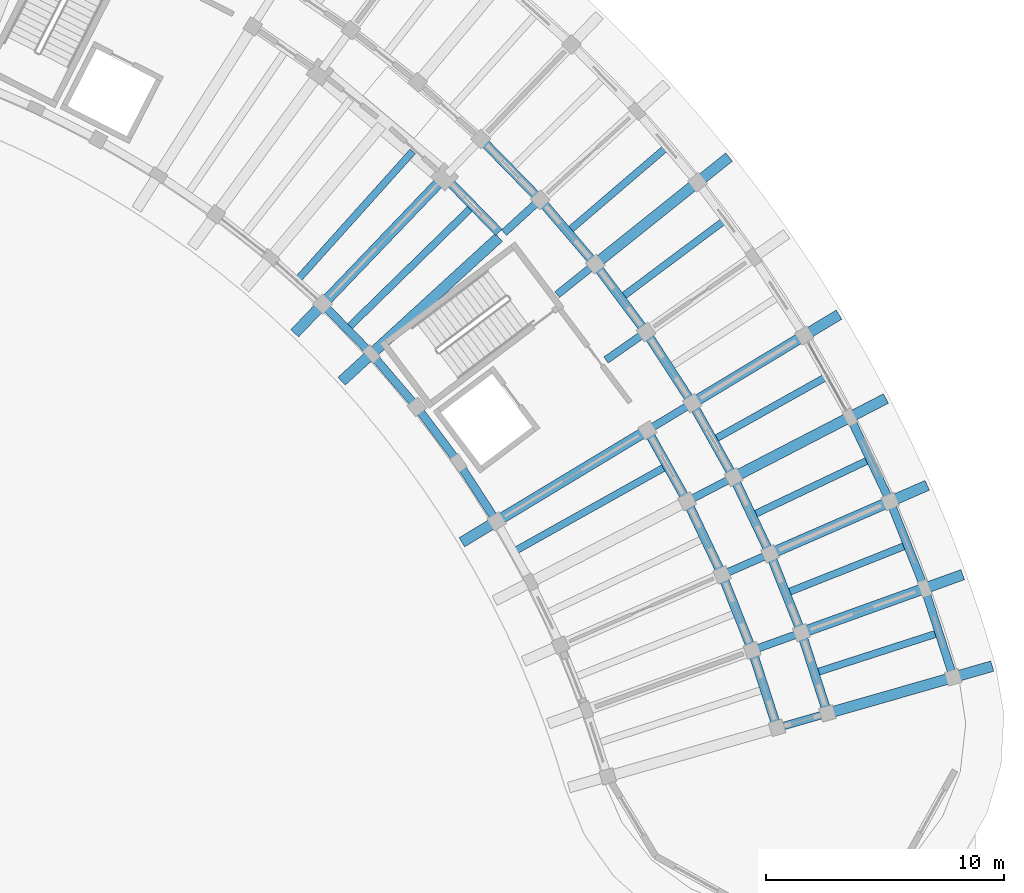
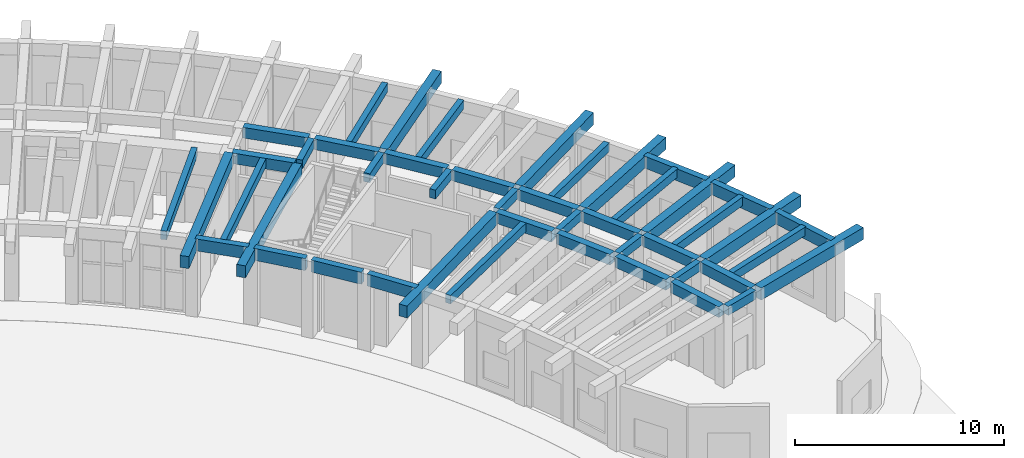
# One storey, part 64 of 132: 46 beams.
"""IFC4 building model written with IfcOpenShell, lengths in metres."""

from ifc_helpers import new_model, si_unit, direction, frame, origin, origin_2d, place, context, subcontext, project, spatial, rectangle, extrude, material, material_profile, profile_set, type_object, element, save


model = new_model("IFC4")

# Units and contexts
model_context = context("Model", 3, precision=1e-05, world=origin(), true_north=direction((0.0, 1.0)))
body_context = subcontext(model_context, "Body", "Model", "MODEL_VIEW")
ifc_project = project(units=[si_unit("LENGTHUNIT", "METRE"), si_unit("AREAUNIT", "SQUARE_METRE"), si_unit("VOLUMEUNIT", "CUBIC_METRE"), si_unit("PLANEANGLEUNIT", "RADIAN"), si_unit("MASSUNIT", "GRAM", prefix="KILO")], contexts=[model_context])

# Site, building, storey
site_placement = place(None, origin())
site = spatial("IfcSite", under=ifc_project, at=site_placement, CompositionType="ELEMENT")
building_placement = place(site_placement, origin())
building = spatial("IfcBuilding", under=site, at=building_placement, Name="Tanwirah Colonnade Gardens", CompositionType="ELEMENT")
storey_placement = place(building_placement, origin())
storey = spatial("IfcBuildingStorey", under=building, at=storey_placement, Name="L00", CompositionType="ELEMENT", Elevation=0.0)

# Beams
ifc_material_1 = material(Name="Precast concrete C40/50", Category="concrete")
ifc_material_profile_1 = material_profile(ifc_material_1, rectangle(XDim=0.320068359375, YDim=0.52001953125, at=origin_2d()), Name="PC-BM 320x520")
ifc_profile_set_1 = profile_set([ifc_material_profile_1], Name="Precast concrete C40/50")
beam_type_1 = type_object("IfcBeamType", Name="BM-PC320", PredefinedType="BEAM", material=ifc_profile_set_1)
for number, where, z_axis, x_axis, name in (
    (1, (170.985595703125, 74.533203125, 4.22509765625), (0.961266538157, 0.275620468433, 0.0), (-0.275620468433, 0.961266538157, 0.0), "Block B L00 Corridor Tie Beam 0"),
    (2, (169.9326171875, 77.79541015625, 4.22509765625), (0.941021664552, 0.338346311999, 0.0), (-0.338346311999, 0.941021664552, 0.0), "Block B L00 Corridor Tie Beam 1"),
    (3, (168.6669921875, 80.981201171875, 4.22509765625), (0.916681481826, 0.399618644306, 0.0), (-0.399618644306, 0.916681481826, 0.0), "Block B L00 Corridor Tie Beam 2"),
):
    element("IfcBeam", number, at=place(storey_placement, frame(where, z_axis=z_axis, x_axis=x_axis)), inside=storey, type_object=beam_type_1, Name=name, PredefinedType="BEAM", context=body_context, shape_type="SweptSolid", body=[
        extrude(rectangle(XDim=0.320068359375, YDim=0.52001953125, at=origin_2d()), origin(), (0.0, 0.0, 1.0), 1.89990234375),
    ])
beam_1_placement = place(storey_placement, frame((167.194091796875, 84.07666015625, 4.22509765625), z_axis=(0.888385730697, 0.459097803844, 0.0), x_axis=(-0.459097803844, 0.888385730697, 0.0)))
element("IfcBeam", 4, at=beam_1_placement, inside=storey, type_object=beam_type_1, Name="Block B L00 Corridor Tie Beam 3", PredefinedType="BEAM", context=body_context, shape_type="SweptSolid", body=[
    extrude(rectangle(XDim=0.320068359375, YDim=0.52001953125, at=origin_2d()), origin(), (0.0, 0.0, 1.0), 1.900146484375),
])
for number, where, z_axis, x_axis, name in (
    (5, (165.520751953125, 87.068359375, 4.22509765625), (0.856174920318, 0.516686080534, 0.0), (-0.516686080534, 0.856174920318, 0.0), "Block B L00 Corridor Tie Beam 4"),
    (6, (163.653564453125, 89.943359375, 4.22509765625), (0.820305001782, 0.571926309983, 0.0), (-0.571926309983, 0.820305001782, 0.0), "Block B L00 Corridor Tie Beam 5"),
    (7, (161.601318359375, 92.68896484375, 4.22509765625), (0.78073089418, 0.624867402633, 0.0), (-0.624867402633, 0.78073089418, 0.0), "Block B L00 Corridor Tie Beam 6"),
    (8, (159.37255859375, 95.29345703125, 4.22509765625), (0.737948361517, 0.674857181732, 0.0), (-0.674857181732, 0.737948361517, 0.0), "Block B L00 Corridor Tie Beam 7"),
):
    element("IfcBeam", number, at=place(storey_placement, frame(where, z_axis=z_axis, x_axis=x_axis)), inside=storey, type_object=beam_type_1, Name=name, PredefinedType="BEAM", context=body_context, shape_type="SweptSolid", body=[
        extrude(rectangle(XDim=0.320068359375, YDim=0.52001953125, at=origin_2d()), origin(), (0.0, 0.0, 1.0), 1.89990234375),
    ])
ifc_material_profile_2 = material_profile(ifc_material_1, rectangle(XDim=0.3798828125, YDim=0.6201171875, at=origin_2d()), Name="PC-BM 380x620")
ifc_profile_set_2 = profile_set([ifc_material_profile_2], Name="Precast concrete C40/50")
beam_type_2 = type_object("IfcBeamType", Name="BM-PC380", PredefinedType="BEAM", material=ifc_profile_set_2)
beam_2_placement = place(storey_placement, frame((170.79541015625, 74.634521484375, 4.175048828125), z_axis=(-0.307169780148, 0.951654730542, 0.0), x_axis=(-0.951654730542, -0.307169780148, 0.0)))
element("IfcBeam", 9, at=beam_2_placement, inside=storey, type_object=beam_type_2, Name="Block B L00 Circumferential Beam 0-R1", PredefinedType="BEAM", context=body_context, shape_type="SweptSolid", body=[
    extrude(rectangle(XDim=0.3798828125, YDim=0.6201171875, at=origin_2d()), origin(), (0.0, 0.0, 1.0), 3.117919921875),
])
beam_3_placement = place(storey_placement, frame((172.91015625, 75.240966796875, 4.175048828125), z_axis=(-0.307212636327, 0.9516408966, 0.0), x_axis=(-0.9516408966, -0.307212636327, 0.0)))
element("IfcBeam", 10, at=beam_3_placement, inside=storey, type_object=beam_type_2, Name="Block B L00 Circumferential Beam 0-R2", PredefinedType="BEAM", context=body_context, shape_type="SweptSolid", body=[
    extrude(rectangle(XDim=0.3798828125, YDim=0.6201171875, at=origin_2d()), origin(), (0.0, 0.0, 1.0), 3.262939453125),
])
beam_4_placement = place(storey_placement, frame((169.736083984375, 77.884033203125, 4.175048828125), z_axis=(-0.369189105832, 0.929354294193, 0.0), x_axis=(-0.929354294193, -0.369189105832, 0.0)))
element("IfcBeam", 11, at=beam_4_placement, inside=storey, type_object=beam_type_2, Name="Block B L00 Circumferential Beam 1-R1", PredefinedType="BEAM", context=body_context, shape_type="SweptSolid", body=[
    extrude(rectangle(XDim=0.3798828125, YDim=0.6201171875, at=origin_2d()), origin(), (0.0, 0.0, 1.0), 3.117919921875),
])
beam_5_placement = place(storey_placement, frame((171.806396484375, 78.62841796875, 4.175048828125), z_axis=(-0.369209712056, 0.929346108037, 0.0), x_axis=(-0.929346108037, -0.369209712056, 0.0)))
element("IfcBeam", 12, at=beam_5_placement, inside=storey, type_object=beam_type_2, Name="Block B L00 Circumferential Beam 1-R2", PredefinedType="BEAM", context=body_context, shape_type="SweptSolid", body=[
    extrude(rectangle(XDim=0.3798828125, YDim=0.6201171875, at=origin_2d()), origin(), (0.0, 0.0, 1.0), 3.26318359375),
])
beam_6_placement = place(storey_placement, frame((168.465087890625, 81.056640625, 4.175048828125), z_axis=(-0.429620507728, 0.903009534468, 0.0), x_axis=(-0.903009534468, -0.429620507728, 0.0)))
element("IfcBeam", 13, at=beam_6_placement, inside=storey, type_object=beam_type_2, Name="Block B L00 Circumferential Beam 2-R1", PredefinedType="BEAM", context=body_context, shape_type="SweptSolid", body=[
    extrude(rectangle(XDim=0.3798828125, YDim=0.6201171875, at=origin_2d()), origin(), (0.0, 0.0, 1.0), 3.1181640625),
])
beam_7_placement = place(storey_placement, frame((170.481689453125, 81.935791015625, 4.175048828125), z_axis=(-0.4295908638, 0.90302363742, 0.0), x_axis=(-0.90302363742, -0.4295908638, 0.0)))
element("IfcBeam", 14, at=beam_7_placement, inside=storey, type_object=beam_type_2, Name="Block B L00 Circumferential Beam 2-R2", PredefinedType="BEAM", context=body_context, shape_type="SweptSolid", body=[
    extrude(rectangle(XDim=0.3798828125, YDim=0.6201171875, at=origin_2d()), origin(), (0.0, 0.0, 1.0), 3.26318359375),
])
beam_8_placement = place(storey_placement, frame((166.98779296875, 84.138671875, 4.175048828125), z_axis=(-0.488200372352, 0.872731571811, 0.0), x_axis=(-0.872731571811, -0.488200372352, 0.0)))
element("IfcBeam", 15, at=beam_8_placement, inside=storey, type_object=beam_type_2, Name="Block B L00 Circumferential Beam 3-R1", PredefinedType="BEAM", context=body_context, shape_type="SweptSolid", body=[
    extrude(rectangle(XDim=0.3798828125, YDim=0.6201171875, at=origin_2d()), origin(), (0.0, 0.0, 1.0), 3.117919921875),
])
for number, where, z_axis, x_axis, name in (
    (16, (168.942138671875, 85.14892578125, 4.175048828125), (-0.488213717102, 0.87272410671, 0.0), (-0.87272410671, -0.488213717102, 0.0), "Block B L00 Circumferential Beam 3-R2"),
    (17, (167.194091796875, 88.25341796875, 4.175048828125), (-0.544627998385, 0.838677735114, 0.0), (-0.838677735114, -0.544627998385, 0.0), "Block B L00 Circumferential Beam 4-R2"),
    (18, (165.245361328125, 91.236083984375, 4.175048828125), (-0.59871829396, 0.800959677186, 0.0), (-0.800959677186, -0.59871829396, 0.0), "Block B L00 Circumferential Beam 5-R2"),
):
    element("IfcBeam", number, at=place(storey_placement, frame(where, z_axis=z_axis, x_axis=x_axis)), inside=storey, type_object=beam_type_2, Name=name, PredefinedType="BEAM", context=body_context, shape_type="SweptSolid", body=[
        extrude(rectangle(XDim=0.3798828125, YDim=0.6201171875, at=origin_2d()), origin(), (0.0, 0.0, 1.0), 3.262939453125),
    ])
beam_9_placement = place(storey_placement, frame((163.1044921875, 94.083740234375, 4.175048828125), z_axis=(-0.650218192342, 0.759747525398, 0.0), x_axis=(-0.759747525398, -0.650218192342, 0.0)))
element("IfcBeam", 19, at=beam_9_placement, inside=storey, type_object=beam_type_2, Name="Block B L00 Circumferential Beam 6-R2", PredefinedType="BEAM", context=body_context, shape_type="SweptSolid", body=[
    extrude(rectangle(XDim=0.3798828125, YDim=0.6201171875, at=origin_2d()), origin(), (0.0, 0.0, 1.0), 3.26318359375),
])
beam_10_placement = place(storey_placement, frame((159.156982421875, 95.299560546875, 4.175048828125), z_axis=(-0.698837366631, 0.715280598787, 0.0), x_axis=(-0.715280598787, -0.698837366631, 0.0)))
element("IfcBeam", 20, at=beam_10_placement, inside=storey, type_object=beam_type_2, Name="Block B L00 Circumferential Beam 7-R1", PredefinedType="BEAM", context=body_context, shape_type="SweptSolid", body=[
    extrude(rectangle(XDim=0.3798828125, YDim=0.6201171875, at=origin_2d()), origin(), (0.0, 0.0, 1.0), 3.117919921875),
])
beam_11_placement = place(storey_placement, frame((160.780517578125, 96.7841796875, 4.175048828125), z_axis=(-0.698829447339, 0.71528833594, 0.0), x_axis=(-0.71528833594, -0.698829447339, 0.0)))
element("IfcBeam", 21, at=beam_11_placement, inside=storey, type_object=beam_type_2, Name="Block B L00 Circumferential Beam 7-R2", PredefinedType="BEAM", context=body_context, shape_type="SweptSolid", body=[
    extrude(rectangle(XDim=0.3798828125, YDim=0.6201171875, at=origin_2d()), origin(), (0.0, 0.0, 1.0), 3.263427734375),
])
ifc_material_2 = material(Name="Precast concrete C45/55", Category="concrete")
ifc_material_profile_3 = material_profile(ifc_material_2, rectangle(XDim=0.449951171875, YDim=0.699951171875, at=origin_2d()), Name="PC-BM 450x700")
ifc_profile_set_3 = profile_set([ifc_material_profile_3], Name="Precast concrete C45/55")
beam_type_3 = type_object("IfcBeamType", Name="BM-PC450", PredefinedType="BEAM", material=ifc_profile_set_3)
for number, where, z_axis, x_axis, name in (
    (22, (173.100341796875, 75.1396484375, 4.135009765625), (0.961266085595, 0.275622046806, 0.0), (-0.275622046806, 0.961266085595, 0.0), "Block B L00 Outer Radial Precast Girder 0"),
    (23, (172.0029296875, 78.539794921875, 4.135009765625), (0.941011841171, 0.338373631917, 0.0), (-0.338373631917, 0.941011841171, 0.0), "Block B L00 Outer Radial Precast Girder 1"),
):
    element("IfcBeam", number, at=place(storey_placement, frame(where, z_axis=z_axis, x_axis=x_axis)), inside=storey, type_object=beam_type_3, Name=name, PredefinedType="BEAM", context=body_context, shape_type="SweptSolid", body=[
        extrude(rectangle(XDim=0.449951171875, YDim=0.699951171875, at=origin_2d()), origin(), (0.0, 0.0, 1.0), 7.0498046875),
    ])
beam_12_placement = place(storey_placement, frame((170.68359375, 81.8603515625, 4.135009765625), z_axis=(0.916678725612, 0.399624966702, 0.0), x_axis=(-0.399624966702, 0.916678725612, 0.0)))
element("IfcBeam", 24, at=beam_12_placement, inside=storey, type_object=beam_type_3, Name="Block B L00 Outer Radial Precast Girder 2", PredefinedType="BEAM", context=body_context, shape_type="SweptSolid", body=[
    extrude(rectangle(XDim=0.449951171875, YDim=0.699951171875, at=origin_2d()), origin(), (0.0, 0.0, 1.0), 7.050048828125),
])
beam_13_placement = place(storey_placement, frame((169.148681640625, 85.0869140625, 4.135009765625), z_axis=(0.888348690665, 0.459169471758, 0.0), x_axis=(-0.459169471758, 0.888348690665, 0.0)))
element("IfcBeam", 25, at=beam_13_placement, inside=storey, type_object=beam_type_3, Name="Block B L00 Outer Radial Precast Girder 3", PredefinedType="BEAM", context=body_context, shape_type="SweptSolid", body=[
    extrude(rectangle(XDim=0.449951171875, YDim=0.699951171875, at=origin_2d()), origin(), (0.0, 0.0, 1.0), 7.0498046875),
])
beam_14_placement = place(storey_placement, frame((165.263916015625, 86.913330078125, 4.135009765625), z_axis=(-0.856168728297, -0.516696340887, 0.0), x_axis=(0.516696340887, -0.856168728297, 0.0)))
element("IfcBeam", 26, at=beam_14_placement, inside=storey, type_object=beam_type_3, Name="Block B L00 Inner Radial Precast Girder 4", PredefinedType="BEAM", context=body_context, shape_type="SweptSolid", body=[
    extrude(rectangle(XDim=0.449951171875, YDim=0.699951171875, at=origin_2d()), origin(), (0.0, 0.0, 1.0), 8.9501953125),
])
for number, where, z_axis, x_axis, name in (
    (27, (167.404296875, 88.205078125, 4.135009765625), (0.856157813984, 0.516714425533, 0.0), (-0.516714425533, 0.856157813984, 0.0), "Block B L00 Outer Radial Precast Girder 4"),
    (28, (163.319091796875, 94.0634765625, 4.135009765625), (0.780794476885, 0.624787951921, 0.0), (-0.624787951921, 0.780794476885, 0.0), "Block B L00 Outer Radial Precast Girder 6"),
):
    element("IfcBeam", number, at=place(storey_placement, frame(where, z_axis=z_axis, x_axis=x_axis)), inside=storey, type_object=beam_type_3, Name=name, PredefinedType="BEAM", context=body_context, shape_type="SweptSolid", body=[
        extrude(rectangle(XDim=0.449951171875, YDim=0.699951171875, at=origin_2d()), origin(), (0.0, 0.0, 1.0), 7.050048828125),
    ])
for number, where, z_axis, x_axis, name in (
    (29, (159.151123046875, 95.091064453125, 4.135009765625), (-0.737937205818, -0.674869380154, 0.0), (0.674869380154, -0.737937205818, 0.0), "Block B L00 Inner Radial Precast Girder 7"),
    (30, (156.769287109375, 97.52880859375, 4.135009765625), (-0.691860926595, -0.722030787606, 0.0), (0.722030787606, -0.691860926595, 0.0), "Block B L00 Inner Radial Precast Girder 8"),
):
    element("IfcBeam", number, at=place(storey_placement, frame(where, z_axis=z_axis, x_axis=x_axis)), inside=storey, type_object=beam_type_3, Name=name, PredefinedType="BEAM", context=body_context, shape_type="SweptSolid", body=[
        extrude(rectangle(XDim=0.449951171875, YDim=0.699951171875, at=origin_2d()), origin(), (0.0, 0.0, 1.0), 8.949951171875),
    ])
ifc_material_profile_4 = material_profile(ifc_material_1, rectangle(XDim=0.300048828125, YDim=0.5, at=origin_2d()), Name="PC-JST 300x500")
ifc_profile_set_4 = profile_set([ifc_material_profile_4], Name="Precast concrete C40/50")
beam_type_4 = type_object("IfcBeamType", Name="JST-PC300", PredefinedType="JOIST", material=ifc_profile_set_4)
beam_15_placement = place(storey_placement, frame((172.551025390625, 76.839599609375, 4.235107421875), z_axis=(0.951656985441, 0.307162794072, 0.0), x_axis=(-0.307162794072, 0.951656985441, 0.0)))
element("IfcBeam", 31, at=beam_15_placement, inside=storey, type_object=beam_type_4, Name="Block B L00 Precast Floor Joist 0", PredefinedType="JOIST", context=body_context, shape_type="SweptSolid", body=[
    extrude(rectangle(XDim=0.300048828125, YDim=0.5, at=origin_2d()), origin(), (0.0, 0.0, 1.0), 5.26025390625),
])
beam_16_placement = place(storey_placement, frame((171.3427734375, 80.199951171875, 4.235107421875), z_axis=(0.929357539836, 0.369180935517, 0.0), x_axis=(-0.369180935517, 0.929357539836, 0.0)))
element("IfcBeam", 32, at=beam_16_placement, inside=storey, type_object=beam_type_4, Name="Block B L00 Precast Floor Joist 1", PredefinedType="JOIST", context=body_context, shape_type="SweptSolid", body=[
    extrude(rectangle(XDim=0.300048828125, YDim=0.5, at=origin_2d()), origin(), (0.0, 0.0, 1.0), 5.260009765625),
])
beam_17_placement = place(storey_placement, frame((169.91552734375, 83.473388671875, 4.235107421875), z_axis=(0.903018314862, 0.429602051931, 0.0), x_axis=(-0.429602051931, 0.903018314862, 0.0)))
element("IfcBeam", 33, at=beam_17_placement, inside=storey, type_object=beam_type_4, Name="Block B L00 Precast Floor Joist 2", PredefinedType="JOIST", context=body_context, shape_type="SweptSolid", body=[
    extrude(rectangle(XDim=0.300048828125, YDim=0.5, at=origin_2d()), origin(), (0.0, 0.0, 1.0), 5.26025390625),
])
beam_18_placement = place(storey_placement, frame((168.27587890625, 86.645751953125, 4.235107421875), z_axis=(0.872737031138, 0.488190612855, 0.0), x_axis=(-0.488190612855, 0.872737031138, 0.0)))
element("IfcBeam", 34, at=beam_18_placement, inside=storey, type_object=beam_type_4, Name="Block B L00 Precast Floor Joist 3", PredefinedType="JOIST", context=body_context, shape_type="SweptSolid", body=[
    extrude(rectangle(XDim=0.300048828125, YDim=0.5, at=origin_2d()), origin(), (0.0, 0.0, 1.0), 5.260009765625),
])
beam_19_placement = place(storey_placement, frame((159.897705078125, 81.958984375, 4.235107421875), z_axis=(0.872726875563, 0.488208767506, 0.0), x_axis=(-0.488208767506, 0.872726875563, 0.0)))
element("IfcBeam", 35, at=beam_19_placement, inside=storey, type_object=beam_type_4, Name="Block B L00 Inner Precast Floor Joist 3", PredefinedType="JOIST", context=body_context, shape_type="SweptSolid", body=[
    extrude(rectangle(XDim=0.300048828125, YDim=0.5, at=origin_2d()), origin(), (0.0, 0.0, 1.0), 7.16015625),
])
beam_20_placement = place(storey_placement, frame((164.38818359375, 92.63232421875, 4.235107421875), z_axis=(0.800973647215, 0.598699604533, 0.0), x_axis=(-0.598699604533, 0.800973647215, 0.0)))
element("IfcBeam", 36, at=beam_20_placement, inside=storey, type_object=beam_type_4, Name="Block B L00 Precast Floor Joist 5", PredefinedType="JOIST", context=body_context, shape_type="SweptSolid", body=[
    extrude(rectangle(XDim=0.300048828125, YDim=0.5, at=origin_2d()), origin(), (0.0, 0.0, 1.0), 5.260009765625),
])
beam_21_placement = place(storey_placement, frame((162.156982421875, 95.42041015625, 4.235107421875), z_axis=(0.759770723643, 0.65019108537, 0.0), x_axis=(-0.65019108537, 0.759770723643, 0.0)))
element("IfcBeam", 37, at=beam_21_placement, inside=storey, type_object=beam_type_4, Name="Block B L00 Precast Floor Joist 6", PredefinedType="JOIST", context=body_context, shape_type="SweptSolid", body=[
    extrude(rectangle(XDim=0.300048828125, YDim=0.5, at=origin_2d()), origin(), (0.0, 0.0, 1.0), 5.26025390625),
])
beam_22_placement = place(storey_placement, frame((152.88037109375, 91.346923828125, 4.235107421875), z_axis=(0.715276680509, 0.698841377081, 0.0), x_axis=(-0.698841377081, 0.715276680509, 0.0)))
element("IfcBeam", 38, at=beam_22_placement, inside=storey, type_object=beam_type_4, Name="Block B L00 Inner Precast Floor Joist 7", PredefinedType="JOIST", context=body_context, shape_type="SweptSolid", body=[
    extrude(rectangle(XDim=0.300048828125, YDim=0.5, at=origin_2d()), origin(), (0.0, 0.0, 1.0), 7.159912109375),
])
beam_23_placement = place(storey_placement, frame((150.7587890625, 93.379638671875, 4.235107421875), z_axis=(0.667688404274, 0.744440860511, 0.0), x_axis=(-0.744440860511, 0.667688404274, 0.0)))
element("IfcBeam", 39, at=beam_23_placement, inside=storey, type_object=beam_type_4, Name="Block B L00 Inner Precast Floor Joist 8", PredefinedType="JOIST", context=body_context, shape_type="SweptSolid", body=[
    extrude(rectangle(XDim=0.300048828125, YDim=0.5, at=origin_2d()), origin(), (0.0, 0.0, 1.0), 7.16015625),
])
ifc_material_profile_5 = material_profile(ifc_material_2, rectangle(XDim=0.340087890625, YDim=0.699951171875, at=origin_2d()), Name="PC-SP 340x700")
ifc_profile_set_5 = profile_set([ifc_material_profile_5], Name="Precast concrete C45/55")
beam_type_5 = type_object("IfcBeamType", Name="SP-PC340", PredefinedType="SPANDREL", material=ifc_profile_set_5)
for number, where, z_axis, x_axis, name in (
    (40, (178.197021484375, 76.7568359375, 4.135009765625), (-0.307183773768, 0.951650213647, 0.0), (-0.951650213647, -0.307183773768, 0.0), "Block B L00 Circumferential Beam 0-R3"),
    (41, (176.98193359375, 80.489501953125, 4.135009765625), (-0.369195460985, 0.929351769562, 0.0), (-0.929351769562, -0.369195460985, 0.0), "Block B L00 Circumferential Beam 1-R3"),
    (42, (175.5234375, 84.1337890625, 4.135009765625), (-0.429593766142, 0.903022256698, 0.0), (-0.903022256698, -0.429593766142, 0.0), "Block B L00 Circumferential Beam 2-R3"),
):
    element("IfcBeam", number, at=place(storey_placement, frame(where, z_axis=z_axis, x_axis=x_axis)), inside=storey, type_object=beam_type_5, Name=name, PredefinedType="SPANDREL", context=body_context, shape_type="SweptSolid", body=[
        extrude(rectangle(XDim=0.340087890625, YDim=0.699951171875, at=origin_2d()), origin(), (0.0, 0.0, 1.0), 3.625732421875),
    ])
for number, where, z_axis, x_axis, name in (
    (43, (158.974853515625, 83.29296875, 4.135009765625), (-0.544570677829, 0.838714955661, 0.0), (-0.838714955661, -0.544570677829, 0.0), "Block B L00 Circumferential Beam 4-R0"),
    (44, (157.370849609375, 85.744873046875, 4.135009765625), (-0.598662613551, 0.80100129534, 0.0), (-0.80100129534, -0.598662613551, 0.0), "Block B L00 Circumferential Beam 5-R0"),
):
    element("IfcBeam", number, at=place(storey_placement, frame(where, z_axis=z_axis, x_axis=x_axis)), inside=storey, type_object=beam_type_5, Name=name, PredefinedType="SPANDREL", context=body_context, shape_type="SweptSolid", body=[
        extrude(rectangle(XDim=0.340087890625, YDim=0.699951171875, at=origin_2d()), origin(), (0.0, 0.0, 1.0), 2.63037109375),
    ])
for number, where, z_axis, x_axis, name in (
    (45, (155.60888671875, 88.0859375, 4.135009765625), (-0.650217875778, 0.759747796323, 0.0), (-0.759747796323, -0.650217875778, 0.0), "Block B L00 Circumferential Beam 6-R0"),
    (46, (153.6962890625, 90.305419921875, 4.135009765625), (-0.698844462704, 0.715273665772, 0.0), (-0.715273665772, -0.698844462704, 0.0), "Block B L00 Circumferential Beam 7-R0"),
):
    element("IfcBeam", number, at=place(storey_placement, frame(where, z_axis=z_axis, x_axis=x_axis)), inside=storey, type_object=beam_type_5, Name=name, PredefinedType="SPANDREL", context=body_context, shape_type="SweptSolid", body=[
        extrude(rectangle(XDim=0.340087890625, YDim=0.699951171875, at=origin_2d()), origin(), (0.0, 0.0, 1.0), 2.630126953125),
    ])

save(model, "model.ifc")
